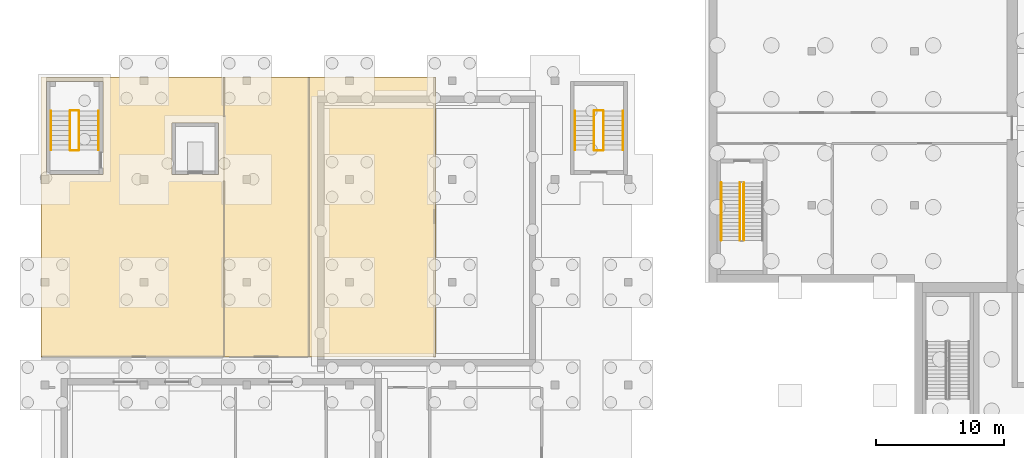
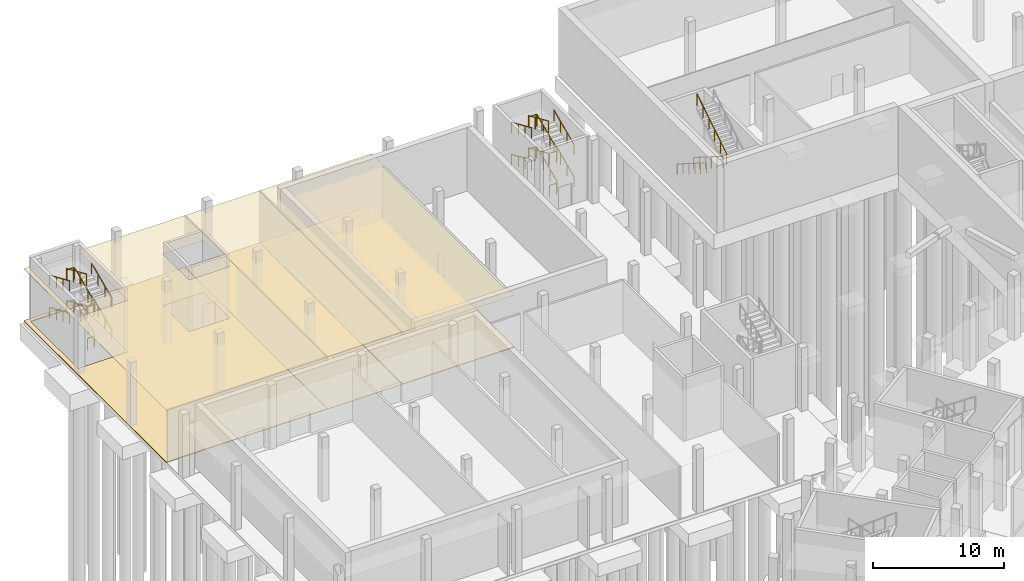
# One storey, part 46 of 66: 27 railings, 6 coverings.
"""IFC4 building model written with IfcOpenShell, lengths in metres."""

from ifc_helpers import new_model, si_unit, direction, frame, origin, origin_2d, place, context, subcontext, project, spatial, polyline, circle, outline, extrude, material, layer, layer_set, type_object, element, save


model = new_model("IFC4")

# Units and contexts
model_context = context("Model", 3, precision=1e-05, world=origin(), true_north=direction((0.0, 1.0)))
body_context = subcontext(model_context, "Body", "Model", "MODEL_VIEW")
ifc_project = project(units=[si_unit("LENGTHUNIT", "METRE"), si_unit("AREAUNIT", "SQUARE_METRE"), si_unit("VOLUMEUNIT", "CUBIC_METRE"), si_unit("PLANEANGLEUNIT", "RADIAN"), si_unit("MASSUNIT", "GRAM", prefix="KILO")], contexts=[model_context])

# Site, building, storey
site_placement = place(None, origin())
site = spatial("IfcSite", under=ifc_project, at=site_placement, CompositionType="ELEMENT")
building_placement = place(site_placement, origin())
building = spatial("IfcBuilding", under=site, at=building_placement, Name="Lunette Opera House", CompositionType="ELEMENT")
storey_placement = place(building_placement, frame((0.0, 0.0, -6.0)))
storey = spatial("IfcBuildingStorey", under=building, at=storey_placement, Name="B1", CompositionType="ELEMENT", Elevation=-6.0)

# Coverings
ifc_material_1 = material(Name="Cement screed")
ifc_layer_1 = layer(ifc_material_1, 0.070068359375)
ifc_layer_set_1 = layer_set([ifc_layer_1], Name="Cement screed")
covering_type_1 = type_object("IfcCoveringType", Name="SCREED FLOOR FINISH 70", PredefinedType="FLOORING", material=ifc_layer_set_1)
covering_1_placement = place(storey_placement, origin())
element("IfcCovering", 1, at=covering_1_placement, inside=storey, type_object=covering_type_1, Name="Floor finish Instrument Store", PredefinedType="FLOORING", context=body_context, shape_type="SweptSolid", body=[
    extrude(outline(polyline([(8.0, 90.199951171875), (8.0, 112.0), (22.23095703125, 112.0), (22.23095703125, 90.199951171875), (8.0, 90.199951171875)]), holes=[polyline([(18.199951171875, 108.39990234375), (18.199951171875, 104.39990234375), (21.800048828125, 104.39990234375), (21.800048828125, 108.39990234375), (18.199951171875, 108.39990234375)]), polyline([(12.800048828125, 111.635009765625), (8.39990234375, 111.635009765625), (8.39990234375, 104.39990234375), (12.800048828125, 104.39990234375), (12.800048828125, 111.635009765625)])]), origin(), (0.0, 0.0, 1.0), 0.070068359375),
])
covering_2_placement = place(storey_placement, origin())
element("IfcCovering", 2, at=covering_2_placement, inside=storey, type_object=covering_type_1, Name="Floor finish Switchgear Room", PredefinedType="FLOORING", context=body_context, shape_type="SweptSolid", body=[
    extrude(outline(polyline([(28.8369140625, 112.0), (38.74609375, 112.0), (38.74609375, 90.199951171875), (28.8369140625, 90.199951171875), (28.8369140625, 112.0)])), origin(), (0.0, 0.0, 1.0), 0.070068359375),
])

# Railings
ifc_material_2 = material(Name="Steel S355", Category="steel")
railing_type_1 = type_object("IfcRailingType", Name="STAIR GUARD 1100", PredefinedType="GUARDRAIL", material=ifc_material_2)
railing_1_placement = place(storey_placement, frame((62.39990234375, 103.75, 0.176513671875)))
element("IfcRailing", 3, at=railing_1_placement, inside=storey, type_object=railing_type_1, Name="B1 ST13 stair guard 1", PredefinedType="GUARDRAIL", context=body_context, shape_type="SweptSolid", body=[
    extrude(circle(Radius=0.02392578125, at=origin_2d()), frame((0.0, 0.0, 1.076171875), z_axis=(0.0, -0.845997938375, 0.533186166611), x_axis=(1.0, 0.0, 0.0)), (0.0, 0.0, 1.0), 5.29541015625),
    extrude(circle(Radius=0.02099609375, at=origin_2d()), origin(), (0.0, 0.0, 1.0), 1.052001953125),
    extrude(circle(Radius=0.02099609375, at=origin_2d()), frame((0.0, -0.89599609375, 0.564697265625)), (0.0, 0.0, 1.0), 1.052001953125),
    extrude(circle(Radius=0.02099609375, at=origin_2d()), frame((0.0, -1.7919921875, 1.12939453125)), (0.0, 0.0, 1.0), 1.052001953125),
    extrude(circle(Radius=0.02099609375, at=origin_2d()), frame((0.0, -2.68798828125, 1.694091796875)), (0.0, 0.0, 1.0), 1.052001953125),
    extrude(circle(Radius=0.02099609375, at=origin_2d()), frame((0.0, -3.583984375, 2.2587890625)), (0.0, 0.0, 1.0), 1.052001953125),
    extrude(circle(Radius=0.02099609375, at=origin_2d()), frame((0.0, -4.47998046875, 2.823486328125)), (0.0, 0.0, 1.0), 1.052001953125),
])
railing_2_placement = place(storey_placement, frame((62.699951171875, 99.27001953125, 3.176513671875)))
element("IfcRailing", 4, at=railing_2_placement, inside=storey, type_object=railing_type_1, Name="B1 ST13 stair guard 3", PredefinedType="GUARDRAIL", context=body_context, shape_type="SweptSolid", body=[
    extrude(circle(Radius=0.02392578125, at=origin_2d()), frame((0.0, 0.0, 1.076171875), z_axis=(0.0, 0.845997938375, 0.533186166611), x_axis=(-1.0, 0.0, 0.0)), (0.0, 0.0, 1.0), 5.29541015625),
    extrude(circle(Radius=0.02099609375, at=origin_2d()), origin(), (0.0, 0.0, 1.0), 1.052001953125),
    extrude(circle(Radius=0.02099609375, at=origin_2d()), frame((0.0, 0.89599609375, 0.564697265625)), (0.0, 0.0, 1.0), 1.052001953125),
    extrude(circle(Radius=0.02099609375, at=origin_2d()), frame((0.0, 1.7919921875, 1.12939453125)), (0.0, 0.0, 1.0), 1.052001953125),
    extrude(circle(Radius=0.02099609375, at=origin_2d()), frame((0.0, 2.68798828125, 1.694091796875)), (0.0, 0.0, 1.0), 1.052001953125),
    extrude(circle(Radius=0.02099609375, at=origin_2d()), frame((0.0, 3.583984375, 2.2587890625)), (0.0, 0.0, 1.0), 1.052001953125),
    extrude(circle(Radius=0.02099609375, at=origin_2d()), frame((0.0, 4.47998046875, 2.823486328125)), (0.0, 0.0, 1.0), 1.052001953125),
])
railing_3_placement = place(storey_placement, frame((10.949951171875, 106.300048828125, 0.166748046875)))
element("IfcRailing", 5, at=railing_3_placement, inside=storey, type_object=railing_type_1, Name="B1 ST15 stair guard 1", PredefinedType="GUARDRAIL", context=body_context, shape_type="SweptSolid", body=[
    extrude(circle(Radius=0.02392578125, at=origin_2d()), frame((0.0, 0.0, 1.076171875), z_axis=(0.0, 0.915799124602, 0.401636606124), x_axis=(-1.0, 0.0, 0.0)), (0.0, 0.0, 1.0), 3.319580078125),
    extrude(circle(Radius=0.02099609375, at=origin_2d()), origin(), (0.0, 0.0, 1.0), 1.052001953125),
    extrude(circle(Radius=0.02099609375, at=origin_2d()), frame((0.0, 1.013427734375, 0.4443359375)), (0.0, 0.0, 1.0), 1.052001953125),
    extrude(circle(Radius=0.02099609375, at=origin_2d()), frame((0.0, 2.026611328125, 0.888916015625)), (0.0, 0.0, 1.0), 1.052001953125),
    extrude(circle(Radius=0.02099609375, at=origin_2d()), frame((0.0, 3.0400390625, 1.333251953125)), (0.0, 0.0, 1.0), 1.052001953125),
])
railing_4_placement = place(storey_placement, frame((10.89990234375, 109.389892578125, 1.5)))
element("IfcRailing", 6, at=railing_4_placement, inside=storey, type_object=railing_type_1, Name="B1 ST15 stair guard 2", PredefinedType="GUARDRAIL", context=body_context, shape_type="SweptSolid", body=[
    extrude(circle(Radius=0.02392578125, at=origin_2d()), frame((0.0, 0.0, 1.076171875), z_axis=(-1.0, 0.0, 0.0), x_axis=(0.0, -1.0, 0.0)), (0.0, 0.0, 1.0), 0.599853515625),
    extrude(circle(Radius=0.02099609375, at=origin_2d()), origin(), (0.0, 0.0, 1.0), 1.052001953125),
    extrude(circle(Radius=0.02099609375, at=origin_2d()), frame((-0.599853515625, 0.0, 0.0)), (0.0, 0.0, 1.0), 1.052001953125),
])
railing_5_placement = place(storey_placement, frame((10.25, 109.340087890625, 1.666748046875)))
element("IfcRailing", 7, at=railing_5_placement, inside=storey, type_object=railing_type_1, Name="B1 ST15 stair guard 3", PredefinedType="GUARDRAIL", context=body_context, shape_type="SweptSolid", body=[
    extrude(circle(Radius=0.02392578125, at=origin_2d()), frame((0.0, 0.0, 1.076171875), z_axis=(0.0, -0.915799124602, 0.401636606124), x_axis=(1.0, 0.0, 0.0)), (0.0, 0.0, 1.0), 3.319580078125),
    extrude(circle(Radius=0.02099609375, at=origin_2d()), origin(), (0.0, 0.0, 1.0), 1.052001953125),
    extrude(circle(Radius=0.02099609375, at=origin_2d()), frame((0.0, -1.013427734375, 0.4443359375)), (0.0, 0.0, 1.0), 1.052001953125),
    extrude(circle(Radius=0.02099609375, at=origin_2d()), frame((0.0, -2.026611328125, 0.888916015625)), (0.0, 0.0, 1.0), 1.052001953125),
    extrude(circle(Radius=0.02099609375, at=origin_2d()), frame((0.0, -3.0400390625, 1.333251953125)), (0.0, 0.0, 1.0), 1.052001953125),
])
railing_6_placement = place(storey_placement, frame((10.89990234375, 106.25, 3.0)))
element("IfcRailing", 8, at=railing_6_placement, inside=storey, type_object=railing_type_1, Name="B1 ST15 stair guard 4", PredefinedType="GUARDRAIL", context=body_context, shape_type="SweptSolid", body=[
    extrude(circle(Radius=0.02392578125, at=origin_2d()), frame((0.0, 0.0, 1.076171875), z_axis=(-1.0, 0.0, 0.0), x_axis=(0.0, -1.0, 0.0)), (0.0, 0.0, 1.0), 0.599853515625),
    extrude(circle(Radius=0.02099609375, at=origin_2d()), origin(), (0.0, 0.0, 1.0), 1.052001953125),
    extrude(circle(Radius=0.02099609375, at=origin_2d()), frame((-0.599853515625, 0.0, 0.0)), (0.0, 0.0, 1.0), 1.052001953125),
])
railing_7_placement = place(storey_placement, frame((10.949951171875, 106.300048828125, 3.166748046875)))
element("IfcRailing", 9, at=railing_7_placement, inside=storey, type_object=railing_type_1, Name="B1 ST15 stair guard 5", PredefinedType="GUARDRAIL", context=body_context, shape_type="SweptSolid", body=[
    extrude(circle(Radius=0.02392578125, at=origin_2d()), frame((0.0, 0.0, 1.076171875), z_axis=(0.0, 0.915799124602, 0.401636606124), x_axis=(-1.0, 0.0, 0.0)), (0.0, 0.0, 1.0), 3.319580078125),
    extrude(circle(Radius=0.02099609375, at=origin_2d()), origin(), (0.0, 0.0, 1.0), 1.052001953125),
    extrude(circle(Radius=0.02099609375, at=origin_2d()), frame((0.0, 1.013427734375, 0.4443359375)), (0.0, 0.0, 1.0), 1.052001953125),
    extrude(circle(Radius=0.02099609375, at=origin_2d()), frame((0.0, 2.026611328125, 0.888916015625)), (0.0, 0.0, 1.0), 1.052001953125),
    extrude(circle(Radius=0.02099609375, at=origin_2d()), frame((0.0, 3.0400390625, 1.333251953125)), (0.0, 0.0, 1.0), 1.052001953125),
])
railing_8_placement = place(storey_placement, frame((10.89990234375, 109.389892578125, 4.5)))
element("IfcRailing", 10, at=railing_8_placement, inside=storey, type_object=railing_type_1, Name="B1 ST15 stair guard 6", PredefinedType="GUARDRAIL", context=body_context, shape_type="SweptSolid", body=[
    extrude(circle(Radius=0.02392578125, at=origin_2d()), frame((0.0, 0.0, 1.076171875), z_axis=(-1.0, 0.0, 0.0), x_axis=(0.0, -1.0, 0.0)), (0.0, 0.0, 1.0), 0.599853515625),
    extrude(circle(Radius=0.02099609375, at=origin_2d()), origin(), (0.0, 0.0, 1.0), 1.052001953125),
    extrude(circle(Radius=0.02099609375, at=origin_2d()), frame((-0.599853515625, 0.0, 0.0)), (0.0, 0.0, 1.0), 1.052001953125),
])
railing_9_placement = place(storey_placement, frame((10.25, 109.340087890625, 4.666748046875)))
element("IfcRailing", 11, at=railing_9_placement, inside=storey, type_object=railing_type_1, Name="B1 ST15 stair guard 7", PredefinedType="GUARDRAIL", context=body_context, shape_type="SweptSolid", body=[
    extrude(circle(Radius=0.02392578125, at=origin_2d()), frame((0.0, 0.0, 1.076171875), z_axis=(0.0, -0.915799124602, 0.401636606124), x_axis=(1.0, 0.0, 0.0)), (0.0, 0.0, 1.0), 3.319580078125),
    extrude(circle(Radius=0.02099609375, at=origin_2d()), origin(), (0.0, 0.0, 1.0), 1.052001953125),
    extrude(circle(Radius=0.02099609375, at=origin_2d()), frame((0.0, -1.013427734375, 0.4443359375)), (0.0, 0.0, 1.0), 1.052001953125),
    extrude(circle(Radius=0.02099609375, at=origin_2d()), frame((0.0, -2.026611328125, 0.888916015625)), (0.0, 0.0, 1.0), 1.052001953125),
    extrude(circle(Radius=0.02099609375, at=origin_2d()), frame((0.0, -3.0400390625, 1.333251953125)), (0.0, 0.0, 1.0), 1.052001953125),
])
railing_10_placement = place(storey_placement, frame((10.89990234375, 106.25, 0.0)))
element("IfcRailing", 12, at=railing_10_placement, inside=storey, type_object=railing_type_1, Name="B1 ST15 stair guard 8", PredefinedType="GUARDRAIL", context=body_context, shape_type="SweptSolid", body=[
    extrude(circle(Radius=0.02392578125, at=origin_2d()), frame((0.0, 0.0, 1.076171875), z_axis=(-1.0, 0.0, 0.0), x_axis=(0.0, -1.0, 0.0)), (0.0, 0.0, 1.0), 0.599853515625),
    extrude(circle(Radius=0.02099609375, at=origin_2d()), origin(), (0.0, 0.0, 1.0), 1.052001953125),
    extrude(circle(Radius=0.02099609375, at=origin_2d()), frame((-0.599853515625, 0.0, 0.0)), (0.0, 0.0, 1.0), 1.052001953125),
])
railing_11_placement = place(storey_placement, frame((51.784912109375, 106.300048828125, 0.166748046875)))
element("IfcRailing", 13, at=railing_11_placement, inside=storey, type_object=railing_type_1, Name="B1 ST17 stair guard 1", PredefinedType="GUARDRAIL", context=body_context, shape_type="SweptSolid", body=[
    extrude(circle(Radius=0.02392578125, at=origin_2d()), frame((0.0, 0.0, 1.076171875), z_axis=(0.0, 0.915799124602, 0.401636606124), x_axis=(-1.0, 0.0, 0.0)), (0.0, 0.0, 1.0), 3.319580078125),
    extrude(circle(Radius=0.02099609375, at=origin_2d()), origin(), (0.0, 0.0, 1.0), 1.052001953125),
    extrude(circle(Radius=0.02099609375, at=origin_2d()), frame((0.0, 1.013427734375, 0.4443359375)), (0.0, 0.0, 1.0), 1.052001953125),
    extrude(circle(Radius=0.02099609375, at=origin_2d()), frame((0.0, 2.026611328125, 0.888916015625)), (0.0, 0.0, 1.0), 1.052001953125),
    extrude(circle(Radius=0.02099609375, at=origin_2d()), frame((0.0, 3.0400390625, 1.333251953125)), (0.0, 0.0, 1.0), 1.052001953125),
])
railing_12_placement = place(storey_placement, frame((51.735107421875, 109.389892578125, 1.5)))
element("IfcRailing", 14, at=railing_12_placement, inside=storey, type_object=railing_type_1, Name="B1 ST17 stair guard 2", PredefinedType="GUARDRAIL", context=body_context, shape_type="SweptSolid", body=[
    extrude(circle(Radius=0.02392578125, at=origin_2d()), frame((0.0, 0.0, 1.076171875), z_axis=(-1.0, 0.0, 0.0), x_axis=(0.0, -1.0, 0.0)), (0.0, 0.0, 1.0), 0.635009765625),
    extrude(circle(Radius=0.02099609375, at=origin_2d()), origin(), (0.0, 0.0, 1.0), 1.052001953125),
    extrude(circle(Radius=0.02099609375, at=origin_2d()), frame((-0.635009765625, 0.0, 0.0)), (0.0, 0.0, 1.0), 1.052001953125),
])
railing_13_placement = place(storey_placement, frame((51.050048828125, 109.340087890625, 1.666748046875)))
element("IfcRailing", 15, at=railing_13_placement, inside=storey, type_object=railing_type_1, Name="B1 ST17 stair guard 3", PredefinedType="GUARDRAIL", context=body_context, shape_type="SweptSolid", body=[
    extrude(circle(Radius=0.02392578125, at=origin_2d()), frame((0.0, 0.0, 1.076171875), z_axis=(0.0, -0.915799124602, 0.401636606124), x_axis=(1.0, 0.0, 0.0)), (0.0, 0.0, 1.0), 3.319580078125),
    extrude(circle(Radius=0.02099609375, at=origin_2d()), origin(), (0.0, 0.0, 1.0), 1.052001953125),
    extrude(circle(Radius=0.02099609375, at=origin_2d()), frame((0.0, -1.013427734375, 0.4443359375)), (0.0, 0.0, 1.0), 1.052001953125),
    extrude(circle(Radius=0.02099609375, at=origin_2d()), frame((0.0, -2.026611328125, 0.888916015625)), (0.0, 0.0, 1.0), 1.052001953125),
    extrude(circle(Radius=0.02099609375, at=origin_2d()), frame((0.0, -3.0400390625, 1.333251953125)), (0.0, 0.0, 1.0), 1.052001953125),
])
railing_14_placement = place(storey_placement, frame((51.735107421875, 106.25, 3.0)))
element("IfcRailing", 16, at=railing_14_placement, inside=storey, type_object=railing_type_1, Name="B1 ST17 stair guard 4", PredefinedType="GUARDRAIL", context=body_context, shape_type="SweptSolid", body=[
    extrude(circle(Radius=0.02392578125, at=origin_2d()), frame((0.0, 0.0, 1.076171875), z_axis=(-1.0, 0.0, 0.0), x_axis=(0.0, -1.0, 0.0)), (0.0, 0.0, 1.0), 0.635009765625),
    extrude(circle(Radius=0.02099609375, at=origin_2d()), origin(), (0.0, 0.0, 1.0), 1.052001953125),
    extrude(circle(Radius=0.02099609375, at=origin_2d()), frame((-0.635009765625, 0.0, 0.0)), (0.0, 0.0, 1.0), 1.052001953125),
])
railing_15_placement = place(storey_placement, frame((51.784912109375, 106.300048828125, 3.166748046875)))
element("IfcRailing", 17, at=railing_15_placement, inside=storey, type_object=railing_type_1, Name="B1 ST17 stair guard 5", PredefinedType="GUARDRAIL", context=body_context, shape_type="SweptSolid", body=[
    extrude(circle(Radius=0.02392578125, at=origin_2d()), frame((0.0, 0.0, 1.076171875), z_axis=(0.0, 0.915799124602, 0.401636606124), x_axis=(-1.0, 0.0, 0.0)), (0.0, 0.0, 1.0), 3.319580078125),
    extrude(circle(Radius=0.02099609375, at=origin_2d()), origin(), (0.0, 0.0, 1.0), 1.052001953125),
    extrude(circle(Radius=0.02099609375, at=origin_2d()), frame((0.0, 1.013427734375, 0.4443359375)), (0.0, 0.0, 1.0), 1.052001953125),
    extrude(circle(Radius=0.02099609375, at=origin_2d()), frame((0.0, 2.026611328125, 0.888916015625)), (0.0, 0.0, 1.0), 1.052001953125),
    extrude(circle(Radius=0.02099609375, at=origin_2d()), frame((0.0, 3.0400390625, 1.333251953125)), (0.0, 0.0, 1.0), 1.052001953125),
])
railing_16_placement = place(storey_placement, frame((51.735107421875, 109.389892578125, 4.5)))
element("IfcRailing", 18, at=railing_16_placement, inside=storey, type_object=railing_type_1, Name="B1 ST17 stair guard 6", PredefinedType="GUARDRAIL", context=body_context, shape_type="SweptSolid", body=[
    extrude(circle(Radius=0.02392578125, at=origin_2d()), frame((0.0, 0.0, 1.076171875), z_axis=(-1.0, 0.0, 0.0), x_axis=(0.0, -1.0, 0.0)), (0.0, 0.0, 1.0), 0.635009765625),
    extrude(circle(Radius=0.02099609375, at=origin_2d()), origin(), (0.0, 0.0, 1.0), 1.052001953125),
    extrude(circle(Radius=0.02099609375, at=origin_2d()), frame((-0.635009765625, 0.0, 0.0)), (0.0, 0.0, 1.0), 1.052001953125),
])
railing_17_placement = place(storey_placement, frame((51.050048828125, 109.340087890625, 4.666748046875)))
element("IfcRailing", 19, at=railing_17_placement, inside=storey, type_object=railing_type_1, Name="B1 ST17 stair guard 7", PredefinedType="GUARDRAIL", context=body_context, shape_type="SweptSolid", body=[
    extrude(circle(Radius=0.02392578125, at=origin_2d()), frame((0.0, 0.0, 1.076171875), z_axis=(0.0, -0.915799124602, 0.401636606124), x_axis=(1.0, 0.0, 0.0)), (0.0, 0.0, 1.0), 3.319580078125),
    extrude(circle(Radius=0.02099609375, at=origin_2d()), origin(), (0.0, 0.0, 1.0), 1.052001953125),
    extrude(circle(Radius=0.02099609375, at=origin_2d()), frame((0.0, -1.013427734375, 0.4443359375)), (0.0, 0.0, 1.0), 1.052001953125),
    extrude(circle(Radius=0.02099609375, at=origin_2d()), frame((0.0, -2.026611328125, 0.888916015625)), (0.0, 0.0, 1.0), 1.052001953125),
    extrude(circle(Radius=0.02099609375, at=origin_2d()), frame((0.0, -3.0400390625, 1.333251953125)), (0.0, 0.0, 1.0), 1.052001953125),
])
railing_18_placement = place(storey_placement, frame((51.735107421875, 106.25, 0.0)))
element("IfcRailing", 20, at=railing_18_placement, inside=storey, type_object=railing_type_1, Name="B1 ST17 stair guard 8", PredefinedType="GUARDRAIL", context=body_context, shape_type="SweptSolid", body=[
    extrude(circle(Radius=0.02392578125, at=origin_2d()), frame((0.0, 0.0, 1.076171875), z_axis=(-1.0, 0.0, 0.0), x_axis=(0.0, -1.0, 0.0)), (0.0, 0.0, 1.0), 0.635009765625),
    extrude(circle(Radius=0.02099609375, at=origin_2d()), origin(), (0.0, 0.0, 1.0), 1.052001953125),
    extrude(circle(Radius=0.02099609375, at=origin_2d()), frame((-0.635009765625, 0.0, 0.0)), (0.0, 0.0, 1.0), 1.052001953125),
])
ifc_material_3 = material(Name="Steel S355", Category="steel")
railing_type_2 = type_object("IfcRailingType", Name="STAIR HANDRAIL 1000", PredefinedType="HANDRAIL", material=ifc_material_3)
railing_19_placement = place(storey_placement, frame((60.949951171875, 103.75, 0.176513671875)))
element("IfcRailing", 21, at=railing_19_placement, inside=storey, type_object=railing_type_2, Name="B1 ST13 stair handrail 1", PredefinedType="HANDRAIL", context=body_context, shape_type="SweptSolid", body=[
    extrude(circle(Radius=0.02392578125, at=origin_2d()), frame((0.0, 0.0, 0.97607421875), z_axis=(0.0, -0.845997938375, 0.533186166611), x_axis=(1.0, 0.0, 0.0)), (0.0, 0.0, 1.0), 5.29541015625),
    extrude(circle(Radius=0.02099609375, at=origin_2d()), origin(), (0.0, 0.0, 1.0), 0.951904296875),
    extrude(circle(Radius=0.02099609375, at=origin_2d()), frame((0.0, -0.89599609375, 0.564697265625)), (0.0, 0.0, 1.0), 0.951904296875),
    extrude(circle(Radius=0.02099609375, at=origin_2d()), frame((0.0, -1.7919921875, 1.12939453125)), (0.0, 0.0, 1.0), 0.951904296875),
    extrude(circle(Radius=0.02099609375, at=origin_2d()), frame((0.0, -2.68798828125, 1.694091796875)), (0.0, 0.0, 1.0), 0.951904296875),
    extrude(circle(Radius=0.02099609375, at=origin_2d()), frame((0.0, -3.583984375, 2.2587890625)), (0.0, 0.0, 1.0), 0.951904296875),
    extrude(circle(Radius=0.02099609375, at=origin_2d()), frame((0.0, -4.47998046875, 2.823486328125)), (0.0, 0.0, 1.0), 0.951904296875),
])
railing_20_placement = place(storey_placement, frame((12.449951171875, 106.300048828125, 0.166748046875)))
element("IfcRailing", 22, at=railing_20_placement, inside=storey, type_object=railing_type_2, Name="B1 ST15 stair handrail 1", PredefinedType="HANDRAIL", context=body_context, shape_type="SweptSolid", body=[
    extrude(circle(Radius=0.02392578125, at=origin_2d()), frame((0.0, 0.0, 0.97607421875), z_axis=(0.0, 0.915799124602, 0.401636606124), x_axis=(-1.0, 0.0, 0.0)), (0.0, 0.0, 1.0), 3.319580078125),
    extrude(circle(Radius=0.02099609375, at=origin_2d()), origin(), (0.0, 0.0, 1.0), 0.951904296875),
    extrude(circle(Radius=0.02099609375, at=origin_2d()), frame((0.0, 1.013427734375, 0.4443359375)), (0.0, 0.0, 1.0), 0.951904296875),
    extrude(circle(Radius=0.02099609375, at=origin_2d()), frame((0.0, 2.026611328125, 0.888916015625)), (0.0, 0.0, 1.0), 0.951904296875),
    extrude(circle(Radius=0.02099609375, at=origin_2d()), frame((0.0, 3.0400390625, 1.333251953125)), (0.0, 0.0, 1.0), 0.951904296875),
])
railing_21_placement = place(storey_placement, frame((8.75, 109.340087890625, 1.666748046875)))
element("IfcRailing", 23, at=railing_21_placement, inside=storey, type_object=railing_type_2, Name="B1 ST15 stair handrail 2", PredefinedType="HANDRAIL", context=body_context, shape_type="SweptSolid", body=[
    extrude(circle(Radius=0.02392578125, at=origin_2d()), frame((0.0, 0.0, 0.97607421875), z_axis=(0.0, -0.915799124602, 0.401636606124), x_axis=(1.0, 0.0, 0.0)), (0.0, 0.0, 1.0), 3.319580078125),
    extrude(circle(Radius=0.02099609375, at=origin_2d()), origin(), (0.0, 0.0, 1.0), 0.951904296875),
    extrude(circle(Radius=0.02099609375, at=origin_2d()), frame((0.0, -1.013427734375, 0.4443359375)), (0.0, 0.0, 1.0), 0.951904296875),
    extrude(circle(Radius=0.02099609375, at=origin_2d()), frame((0.0, -2.026611328125, 0.888916015625)), (0.0, 0.0, 1.0), 0.951904296875),
    extrude(circle(Radius=0.02099609375, at=origin_2d()), frame((0.0, -3.0400390625, 1.333251953125)), (0.0, 0.0, 1.0), 0.951904296875),
])
railing_22_placement = place(storey_placement, frame((12.449951171875, 106.300048828125, 3.166748046875)))
element("IfcRailing", 24, at=railing_22_placement, inside=storey, type_object=railing_type_2, Name="B1 ST15 stair handrail 3", PredefinedType="HANDRAIL", context=body_context, shape_type="SweptSolid", body=[
    extrude(circle(Radius=0.02392578125, at=origin_2d()), frame((0.0, 0.0, 0.97607421875), z_axis=(0.0, 0.915799124602, 0.401636606124), x_axis=(-1.0, 0.0, 0.0)), (0.0, 0.0, 1.0), 3.319580078125),
    extrude(circle(Radius=0.02099609375, at=origin_2d()), origin(), (0.0, 0.0, 1.0), 0.951904296875),
    extrude(circle(Radius=0.02099609375, at=origin_2d()), frame((0.0, 1.013427734375, 0.4443359375)), (0.0, 0.0, 1.0), 0.951904296875),
    extrude(circle(Radius=0.02099609375, at=origin_2d()), frame((0.0, 2.026611328125, 0.888916015625)), (0.0, 0.0, 1.0), 0.951904296875),
    extrude(circle(Radius=0.02099609375, at=origin_2d()), frame((0.0, 3.0400390625, 1.333251953125)), (0.0, 0.0, 1.0), 0.951904296875),
])
railing_23_placement = place(storey_placement, frame((8.75, 109.340087890625, 4.666748046875)))
element("IfcRailing", 25, at=railing_23_placement, inside=storey, type_object=railing_type_2, Name="B1 ST15 stair handrail 4", PredefinedType="HANDRAIL", context=body_context, shape_type="SweptSolid", body=[
    extrude(circle(Radius=0.02392578125, at=origin_2d()), frame((0.0, 0.0, 0.97607421875), z_axis=(0.0, -0.915799124602, 0.401636606124), x_axis=(1.0, 0.0, 0.0)), (0.0, 0.0, 1.0), 3.319580078125),
    extrude(circle(Radius=0.02099609375, at=origin_2d()), origin(), (0.0, 0.0, 1.0), 0.951904296875),
    extrude(circle(Radius=0.02099609375, at=origin_2d()), frame((0.0, -1.013427734375, 0.4443359375)), (0.0, 0.0, 1.0), 0.951904296875),
    extrude(circle(Radius=0.02099609375, at=origin_2d()), frame((0.0, -2.026611328125, 0.888916015625)), (0.0, 0.0, 1.0), 0.951904296875),
    extrude(circle(Radius=0.02099609375, at=origin_2d()), frame((0.0, -3.0400390625, 1.333251953125)), (0.0, 0.0, 1.0), 0.951904296875),
])
railing_24_placement = place(storey_placement, frame((53.284912109375, 106.300048828125, 0.166748046875)))
element("IfcRailing", 26, at=railing_24_placement, inside=storey, type_object=railing_type_2, Name="B1 ST17 stair handrail 1", PredefinedType="HANDRAIL", context=body_context, shape_type="SweptSolid", body=[
    extrude(circle(Radius=0.02392578125, at=origin_2d()), frame((0.0, 0.0, 0.97607421875), z_axis=(0.0, 0.915799124602, 0.401636606124), x_axis=(-1.0, 0.0, 0.0)), (0.0, 0.0, 1.0), 3.319580078125),
    extrude(circle(Radius=0.02099609375, at=origin_2d()), origin(), (0.0, 0.0, 1.0), 0.951904296875),
    extrude(circle(Radius=0.02099609375, at=origin_2d()), frame((0.0, 1.013427734375, 0.4443359375)), (0.0, 0.0, 1.0), 0.951904296875),
    extrude(circle(Radius=0.02099609375, at=origin_2d()), frame((0.0, 2.026611328125, 0.888916015625)), (0.0, 0.0, 1.0), 0.951904296875),
    extrude(circle(Radius=0.02099609375, at=origin_2d()), frame((0.0, 3.0400390625, 1.333251953125)), (0.0, 0.0, 1.0), 0.951904296875),
])
railing_25_placement = place(storey_placement, frame((49.550048828125, 109.340087890625, 1.666748046875)))
element("IfcRailing", 27, at=railing_25_placement, inside=storey, type_object=railing_type_2, Name="B1 ST17 stair handrail 2", PredefinedType="HANDRAIL", context=body_context, shape_type="SweptSolid", body=[
    extrude(circle(Radius=0.02392578125, at=origin_2d()), frame((0.0, 0.0, 0.97607421875), z_axis=(0.0, -0.915799124602, 0.401636606124), x_axis=(1.0, 0.0, 0.0)), (0.0, 0.0, 1.0), 3.319580078125),
    extrude(circle(Radius=0.02099609375, at=origin_2d()), origin(), (0.0, 0.0, 1.0), 0.951904296875),
    extrude(circle(Radius=0.02099609375, at=origin_2d()), frame((0.0, -1.013427734375, 0.4443359375)), (0.0, 0.0, 1.0), 0.951904296875),
    extrude(circle(Radius=0.02099609375, at=origin_2d()), frame((0.0, -2.026611328125, 0.888916015625)), (0.0, 0.0, 1.0), 0.951904296875),
    extrude(circle(Radius=0.02099609375, at=origin_2d()), frame((0.0, -3.0400390625, 1.333251953125)), (0.0, 0.0, 1.0), 0.951904296875),
])
railing_26_placement = place(storey_placement, frame((53.284912109375, 106.300048828125, 3.166748046875)))
element("IfcRailing", 28, at=railing_26_placement, inside=storey, type_object=railing_type_2, Name="B1 ST17 stair handrail 3", PredefinedType="HANDRAIL", context=body_context, shape_type="SweptSolid", body=[
    extrude(circle(Radius=0.02392578125, at=origin_2d()), frame((0.0, 0.0, 0.97607421875), z_axis=(0.0, 0.915799124602, 0.401636606124), x_axis=(-1.0, 0.0, 0.0)), (0.0, 0.0, 1.0), 3.319580078125),
    extrude(circle(Radius=0.02099609375, at=origin_2d()), origin(), (0.0, 0.0, 1.0), 0.951904296875),
    extrude(circle(Radius=0.02099609375, at=origin_2d()), frame((0.0, 1.013427734375, 0.4443359375)), (0.0, 0.0, 1.0), 0.951904296875),
    extrude(circle(Radius=0.02099609375, at=origin_2d()), frame((0.0, 2.026611328125, 0.888916015625)), (0.0, 0.0, 1.0), 0.951904296875),
    extrude(circle(Radius=0.02099609375, at=origin_2d()), frame((0.0, 3.0400390625, 1.333251953125)), (0.0, 0.0, 1.0), 0.951904296875),
])
railing_27_placement = place(storey_placement, frame((49.550048828125, 109.340087890625, 4.666748046875)))
element("IfcRailing", 29, at=railing_27_placement, inside=storey, type_object=railing_type_2, Name="B1 ST17 stair handrail 4", PredefinedType="HANDRAIL", context=body_context, shape_type="SweptSolid", body=[
    extrude(circle(Radius=0.02392578125, at=origin_2d()), frame((0.0, 0.0, 0.97607421875), z_axis=(0.0, -0.915799124602, 0.401636606124), x_axis=(1.0, 0.0, 0.0)), (0.0, 0.0, 1.0), 3.319580078125),
    extrude(circle(Radius=0.02099609375, at=origin_2d()), origin(), (0.0, 0.0, 1.0), 0.951904296875),
    extrude(circle(Radius=0.02099609375, at=origin_2d()), frame((0.0, -1.013427734375, 0.4443359375)), (0.0, 0.0, 1.0), 0.951904296875),
    extrude(circle(Radius=0.02099609375, at=origin_2d()), frame((0.0, -2.026611328125, 0.888916015625)), (0.0, 0.0, 1.0), 0.951904296875),
    extrude(circle(Radius=0.02099609375, at=origin_2d()), frame((0.0, -3.0400390625, 1.333251953125)), (0.0, 0.0, 1.0), 0.951904296875),
])

# Coverings
ifc_material_4 = material(Name="Mineral fibre board")
ifc_layer_2 = layer(ifc_material_4, 0.014892578125)
ifc_layer_set_2 = layer_set([ifc_layer_2], Name="Mineral fibre board")
covering_type_2 = type_object("IfcCoveringType", Name="SUSPENDED ACOUSTIC CEILING 15", PredefinedType="CEILING", material=ifc_layer_set_2)
covering_3_placement = place(storey_placement, frame((0.0, 0.0, 4.885009765625)))
element("IfcCovering", 30, at=covering_3_placement, inside=storey, type_object=covering_type_2, Name="Ceiling Instrument Store", PredefinedType="CEILING", context=body_context, shape_type="SweptSolid", body=[
    extrude(outline(polyline([(8.0, 90.199951171875), (8.0, 112.0), (22.23095703125, 112.0), (22.23095703125, 90.199951171875), (8.0, 90.199951171875)]), holes=[polyline([(18.199951171875, 108.39990234375), (18.199951171875, 104.39990234375), (21.800048828125, 104.39990234375), (21.800048828125, 108.39990234375), (18.199951171875, 108.39990234375)]), polyline([(12.800048828125, 111.635009765625), (8.39990234375, 111.635009765625), (8.39990234375, 104.39990234375), (12.800048828125, 104.39990234375), (12.800048828125, 111.635009765625)])]), origin(), (0.0, 0.0, 1.0), 0.014892578125),
])
covering_4_placement = place(storey_placement, frame((0.0, 0.0, 4.885009765625)))
element("IfcCovering", 31, at=covering_4_placement, inside=storey, type_object=covering_type_2, Name="Ceiling Music Library", PredefinedType="CEILING", context=body_context, shape_type="SweptSolid", body=[
    extrude(outline(polyline([(22.23095703125, 90.199951171875), (22.23095703125, 112.0), (28.8369140625, 112.0), (28.8369140625, 90.199951171875), (22.23095703125, 90.199951171875)])), origin(), (0.0, 0.0, 1.0), 0.014892578125),
])
covering_5_placement = place(storey_placement, frame((0.0, 0.0, 4.885009765625)))
element("IfcCovering", 32, at=covering_5_placement, inside=storey, type_object=covering_type_2, Name="Ceiling Switchgear Room", PredefinedType="CEILING", context=body_context, shape_type="SweptSolid", body=[
    extrude(outline(polyline([(28.8369140625, 112.0), (38.74609375, 112.0), (38.74609375, 90.199951171875), (28.8369140625, 90.199951171875), (28.8369140625, 112.0)])), origin(), (0.0, 0.0, 1.0), 0.014892578125),
])
ifc_material_5 = material(Name="Timber", Category="wood")
ifc_layer_3 = layer(ifc_material_5, 0.0400390625)
ifc_layer_set_3 = layer_set([ifc_layer_3], Name="Timber")
covering_type_3 = type_object("IfcCoveringType", Name="TIMBER FLOOR FINISH 40", PredefinedType="FLOORING", material=ifc_layer_set_3)
covering_6_placement = place(storey_placement, origin())
element("IfcCovering", 33, at=covering_6_placement, inside=storey, type_object=covering_type_3, Name="Floor finish Music Library", PredefinedType="FLOORING", context=body_context, shape_type="SweptSolid", body=[
    extrude(outline(polyline([(22.23095703125, 90.199951171875), (22.23095703125, 112.0), (28.8369140625, 112.0), (28.8369140625, 90.199951171875), (22.23095703125, 90.199951171875)])), origin(), (0.0, 0.0, 1.0), 0.0400390625),
])

save(model, "model.ifc")
